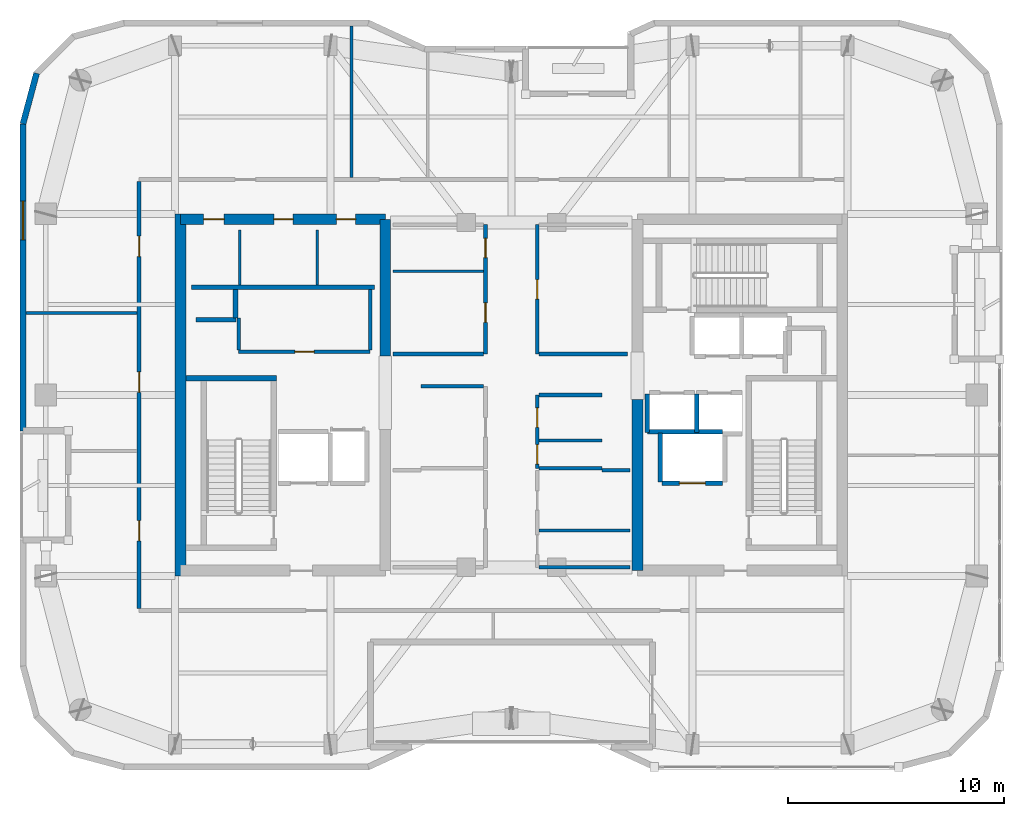
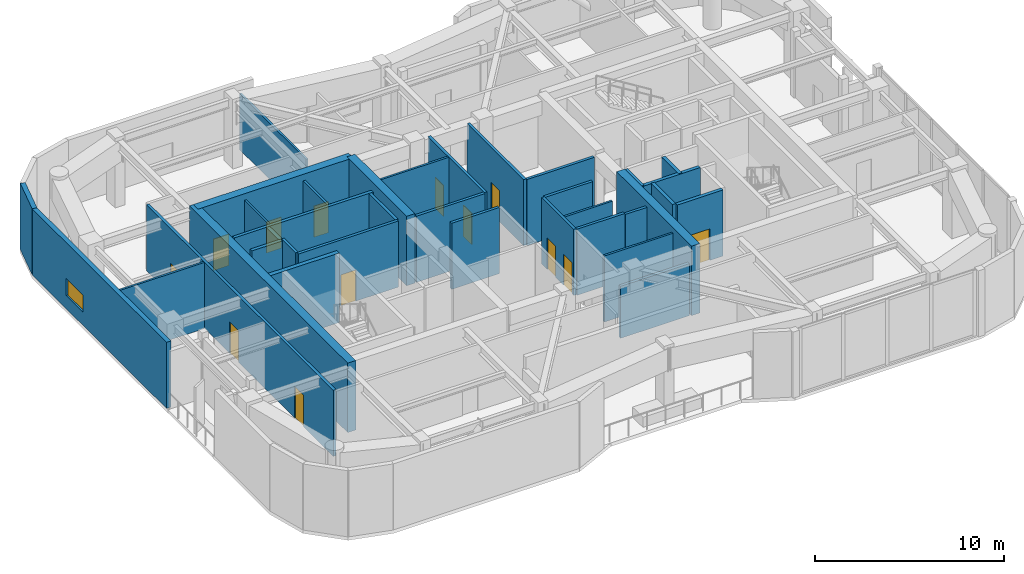
# One storey, part 10 of 14: 36 walls, 13 doors, 1 window, 14 openings.
"""IFC4 building model written with IfcOpenShell, lengths in metres."""

from ifc_helpers import new_model, si_unit, direction, frame, frame_2d, origin, place, context, subcontext, project, spatial, rectangle, extrude, material, layer, layer_set, type_object, element, fill, save


model = new_model("IFC4")

# Units and contexts
model_context = context("Model", 3, precision=1e-05, world=origin(), true_north=direction((0.0, 1.0)))
body_context = subcontext(model_context, "Body", "Model", "MODEL_VIEW")
ifc_project = project(units=[si_unit("LENGTHUNIT", "METRE"), si_unit("AREAUNIT", "SQUARE_METRE"), si_unit("VOLUMEUNIT", "CUBIC_METRE"), si_unit("PLANEANGLEUNIT", "RADIAN"), si_unit("MASSUNIT", "GRAM", prefix="KILO")], contexts=[model_context])

# Site, building, storey
site_placement = place(None, origin())
site = spatial("IfcSite", under=ifc_project, at=site_placement, CompositionType="ELEMENT")
building_placement = place(site_placement, origin())
building = spatial("IfcBuilding", under=site, at=building_placement, Name="Kiyonajd Concourse Tower", CompositionType="ELEMENT")
storey_placement = place(building_placement, frame((0.0, 0.0, 294.0)))
storey = spatial("IfcBuildingStorey", under=building, at=storey_placement, Name="L74", CompositionType="ELEMENT", Elevation=294.0)

# Walls
ifc_material_1 = material(Name="Concrete C60/75", Category="concrete")
ifc_layer_1 = layer(ifc_material_1, 0.5)
ifc_layer_set_1 = layer_set([ifc_layer_1], Name="Concrete C60/75")
wall_type_1 = type_object("IfcWallType", Name="WL-CORE-500", PredefinedType="SHEAR", material=ifc_layer_set_1)
wall_1_placement = place(storey_placement, frame((32.64990234375, 27.60009765625, 0.0), z_axis=(0.0, 0.0, 1.0), x_axis=(0.0, 1.0, 0.0)))
element("IfcWall", 1, at=wall_1_placement, inside=storey, type_object=wall_type_1, Name="L74 West Core Outer Shear Wall", PredefinedType="SHEAR", context=body_context, shape_type="SweptSolid", body=[
    extrude(rectangle(XDim=16.7998046875, YDim=0.5, at=frame_2d((8.39990234375, 0.0))), origin(), (0.0, 0.0, 1.0), 4.5),
])
wall_2_placement = place(storey_placement, frame((42.14990234375, 37.800048828125, 0.0), z_axis=(0.0, 0.0, 1.0), x_axis=(0.0, 1.0, 0.0)))
element("IfcWall", 2, at=wall_2_placement, inside=storey, type_object=wall_type_1, Name="L74 West Core Inner North Shear Wall", PredefinedType="SHEAR", context=body_context, shape_type="SweptSolid", body=[
    extrude(rectangle(XDim=6.349853515625, YDim=0.5, at=frame_2d((3.1748046875, 0.0))), origin(), (0.0, 0.0, 1.0), 4.5),
])

# Wall, openings, doors
wall_3_placement = place(storey_placement, frame((32.64990234375, 44.14990234375, 0.0), z_axis=(0.0, 0.0, 1.0), x_axis=(1.0, 0.0, 0.0)))
wall_3 = element("IfcWall", 3, at=wall_3_placement, inside=storey, type_object=wall_type_1, Name="L74 West Core North Shear Wall", PredefinedType="SHEAR", context=body_context, shape_type="SweptSolid", body=[
    extrude(rectangle(XDim=9.5, YDim=0.5, at=frame_2d((4.75, 0.0))), origin(), (0.0, 0.0, 1.0), 4.5),
])
opening_1_placement = place(wall_3_placement, frame((1.074951171875, 0.0, 0.0)))
opening_1 = element("IfcOpeningElement", 4, at=opening_1_placement, cuts=wall_3, Name="Opening DI1", PredefinedType="OPENING", context=body_context, shape_type="SweptSolid", body=[
    extrude(rectangle(XDim=0.949951171875, YDim=2.0400390625, at=frame_2d((0.47509765625, 1.02001953125))), frame((0.0, 0.260009765625, 0.0), z_axis=(0.0, -1.0, 0.0), x_axis=(1.0, 0.0, 0.0)), (0.0, 0.0, 1.0), 0.52001953125),
])
opening_2_placement = place(wall_3_placement, frame((4.324951171875, 0.0, 0.0)))
opening_2 = element("IfcOpeningElement", 5, at=opening_2_placement, cuts=wall_3, Name="Opening DI2", PredefinedType="OPENING", context=body_context, shape_type="SweptSolid", body=[
    extrude(rectangle(XDim=0.89990234375, YDim=2.02001953125, at=frame_2d((0.449951171875, 1.010009765625))), frame((0.0, 0.260009765625, 0.0), z_axis=(0.0, -1.0, 0.0), x_axis=(1.0, 0.0, 0.0)), (0.0, 0.0, 1.0), 0.52001953125),
])
opening_3_placement = place(wall_3_placement, frame((7.22509765625, 0.0, 0.0)))
opening_3 = element("IfcOpeningElement", 6, at=opening_3_placement, cuts=wall_3, Name="Opening DI2", PredefinedType="OPENING", context=body_context, shape_type="SweptSolid", body=[
    extrude(rectangle(XDim=0.89990234375, YDim=2.02001953125, at=frame_2d((0.449951171875, 1.010009765625))), frame((0.0, 0.260009765625, 0.0), z_axis=(0.0, -1.0, 0.0), x_axis=(1.0, 0.0, 0.0)), (0.0, 0.0, 1.0), 0.52001953125),
])
ifc_material_2 = material(Name="Natural Oak Acoustic Timber Veneer", Category="wood")
door_type_1 = type_object("IfcDoorType", Name="DR-INT-900", OperationType="NOTDEFINED", PredefinedType="DOOR", material=ifc_material_2)
door_1_placement = place(opening_2_placement, origin())
door_1 = element("IfcDoor", 7, at=door_1_placement, inside=storey, type_object=door_type_1, Name="L74 Male Restroom Door", OperationType="SINGLE_SWING_RIGHT", OverallHeight=2.02001953125, OverallWidth=0.89990234375, PredefinedType="DOOR", context=body_context, shape_type="SweptSolid", body=[
    extrude(rectangle(XDim=0.89990234375, YDim=2.02001953125, at=frame_2d((0.449951171875, 1.010009765625))), frame((0.0, 0.02490234375, 0.0), z_axis=(0.0, -1.0, 0.0), x_axis=(1.0, 0.0, 0.0)), (0.0, 0.0, 1.0), 0.050048828125),
])
fill(opening_2, door_1)
door_2_placement = place(opening_3_placement, origin())
door_2 = element("IfcDoor", 8, at=door_2_placement, inside=storey, type_object=door_type_1, Name="L74 Female Restroom Door", OperationType="SINGLE_SWING_LEFT", OverallHeight=2.02001953125, OverallWidth=0.89990234375, PredefinedType="DOOR", context=body_context, shape_type="SweptSolid", body=[
    extrude(rectangle(XDim=0.89990234375, YDim=2.02001953125, at=frame_2d((0.449951171875, 1.010009765625))), frame((0.0, 0.02490234375, 0.0), z_axis=(0.0, -1.0, 0.0), x_axis=(1.0, 0.0, 0.0)), (0.0, 0.0, 1.0), 0.050048828125),
])
fill(opening_3, door_2)
door_type_2 = type_object("IfcDoorType", Name="DR-INT-950", OperationType="NOTDEFINED", PredefinedType="DOOR", material=ifc_material_2)
door_3_placement = place(opening_1_placement, origin())
door_3 = element("IfcDoor", 9, at=door_3_placement, inside=storey, type_object=door_type_2, Name="L74 Single User Accessible WC Door", OperationType="SINGLE_SWING_LEFT", OverallHeight=2.0400390625, OverallWidth=0.949951171875, PredefinedType="DOOR", context=body_context, shape_type="SweptSolid", body=[
    extrude(rectangle(XDim=0.949951171875, YDim=2.0400390625, at=frame_2d((0.47509765625, 1.02001953125))), frame((0.0, 0.02490234375, 0.0), z_axis=(0.0, -1.0, 0.0), x_axis=(1.0, 0.0, 0.0)), (0.0, 0.0, 1.0), 0.050048828125),
])
fill(opening_1, door_3)

# Wall
wall_4_placement = place(storey_placement, frame((53.85009765625, 27.85009765625, 0.0), z_axis=(0.0, 0.0, 1.0), x_axis=(0.0, 1.0, 0.0)))
element("IfcWall", 10, at=wall_4_placement, inside=storey, type_object=wall_type_1, Name="L74 East Core Inner South Shear Wall", PredefinedType="SHEAR", context=body_context, shape_type="SweptSolid", body=[
    extrude(rectangle(XDim=7.949951171875, YDim=0.5, at=frame_2d((3.97509765625, 0.0))), origin(), (0.0, 0.0, 1.0), 4.5),
])

# Wall, opening, window
ifc_material_3 = material(Name="Precast concrete C50/60", Category="concrete")
ifc_layer_2 = layer(ifc_material_3, 0.280029296875)
ifc_layer_set_2 = layer_set([ifc_layer_2], Name="Precast concrete C50/60")
wall_type_2 = type_object("IfcWallType", Name="WL-EXT-280", PredefinedType="SOLIDWALL", material=ifc_layer_set_2)
wall_5_placement = place(storey_placement, frame((25.340087890625, 34.340087890625, 0.0), z_axis=(0.0, 0.0, 1.0), x_axis=(0.0, 1.0, 0.0)))
wall_5 = element("IfcWall", 11, at=wall_5_placement, inside=storey, type_object=wall_type_2, Name="L74 Exterior Concrete Frame Wall 25", PredefinedType="SOLIDWALL", context=body_context, shape_type="SweptSolid", body=[
    extrude(rectangle(XDim=14.241455078125, YDim=0.280029296875, at=frame_2d((7.12060546875, 0.0))), origin(), (0.0, 0.0, 1.0), 4.280029296875),
])
opening_4_placement = place(wall_5_placement, frame((8.85595703125, 0.0, 0.85009765625)))
opening_4 = element("IfcOpeningElement", 12, at=opening_4_placement, cuts=wall_5, Name="Opening WN1", PredefinedType="OPENING", context=body_context, shape_type="SweptSolid", body=[
    extrude(rectangle(XDim=1.800048828125, YDim=1.10009765625, at=frame_2d((0.89990234375, 0.550048828125))), frame((0.0, 0.14990234375, 0.0), z_axis=(0.0, -1.0, 0.0), x_axis=(1.0, 0.0, 0.0)), (0.0, 0.0, 1.0), 0.300048828125),
])
ifc_material_4 = material(Name="Double Low-E Insulated Glass", Category="glass")
window_type = type_object("IfcWindowType", Name="WN-VIS-1800x1100", PartitioningType="SINGLE_PANEL", PredefinedType="WINDOW", material=ifc_material_4)
window_placement = place(opening_4_placement, origin())
window = element("IfcWindow", 13, at=window_placement, inside=storey, type_object=window_type, Name="L74 Modular Facade Vision Window 25", OverallHeight=1.10009765625, OverallWidth=1.800048828125, PartitioningType="SINGLE_PANEL", PredefinedType="WINDOW", context=body_context, shape_type="SweptSolid", body=[
    extrude(rectangle(XDim=1.800048828125, YDim=1.10009765625, at=frame_2d((0.89990234375, 0.550048828125))), frame((0.0, 0.030029296875, 0.0), z_axis=(0.0, -1.0, 0.0), x_axis=(1.0, 0.0, 0.0)), (0.0, 0.0, 1.0), 0.06005859375),
])
fill(opening_4, window)

# Walls
wall_6_placement = place(storey_placement, frame((25.340087890625, 48.58154296875, 0.0), z_axis=(0.0, 0.0, 1.0), x_axis=(0.258751159445, 0.965944013639, 0.0)))
element("IfcWall", 14, at=wall_6_placement, inside=storey, type_object=wall_type_2, Name="L74 Exterior Concrete Frame Wall 26", PredefinedType="SOLIDWALL", context=body_context, shape_type="SweptSolid", body=[
    extrude(rectangle(XDim=2.4287109375, YDim=0.280029296875, at=frame_2d((1.21435546875, 0.0))), origin(), (0.0, 0.0, 1.0), 4.280029296875),
])
ifc_material_5 = material(Name="Gypsum Board on Cold-Formed Steel Stud", Category="steel")
ifc_layer_3 = layer(ifc_material_5, 0.125)
ifc_layer_set_3 = layer_set([ifc_layer_3], Name="Gypsum Board on Cold-Formed Steel Stud")
wall_type_3 = type_object("IfcWallType", Name="WL-PART-125", PredefinedType="PARTITIONING", material=ifc_layer_set_3)
for number, where, z_axis, x_axis, name in (
    (15, (35.39990234375, 41.094970703125, 0.0), (0.0, 0.0, 1.0), (0.0, 1.0, 0.0), "L74 Interior Partition Wall"),
    (16, (39.0, 41.094970703125, 0.0), (0.0, 0.0, 1.0), (0.0, 1.0, 0.0), "L74 Interior Partition Wall"),
):
    element("IfcWall", number, at=place(storey_placement, frame(where, z_axis=z_axis, x_axis=x_axis)), inside=storey, type_object=wall_type_3, Name=name, PredefinedType="PARTITIONING", context=body_context, shape_type="SweptSolid", body=[
        extrude(rectangle(XDim=2.554931640625, YDim=0.125, at=frame_2d((1.27734375, 0.0))), origin(), (0.0, 0.0, 1.0), 4.280029296875),
    ])
wall_7_placement = place(storey_placement, frame((49.287109375, 33.89208984375, 0.0), z_axis=(0.0, 0.0, 1.0), x_axis=(1.0, 0.0, 0.0)))
element("IfcWall", 17, at=wall_7_placement, inside=storey, type_object=wall_type_3, Name="L74 Interior Partition Wall", PredefinedType="PARTITIONING", context=body_context, shape_type="SweptSolid", body=[
    extrude(rectangle(XDim=2.912841796875, YDim=0.125, at=frame_2d((1.45654296875, 0.0))), origin(), (0.0, 0.0, 1.0), 4.280029296875),
])
for number, where, z_axis, x_axis, name in (
    (18, (49.287109375, 29.7099609375, 0.0), (0.0, 0.0, 1.0), (1.0, 0.0, 0.0), "L74 Interior Partition Wall"),
    (19, (42.5, 41.739990234375, 0.0), (0.0, 0.0, 1.0), (1.0, 0.0, 0.0), "L74 Interior Partition Wall"),
):
    element("IfcWall", number, at=place(storey_placement, frame(where, z_axis=z_axis, x_axis=x_axis)), inside=storey, type_object=wall_type_3, Name=name, PredefinedType="PARTITIONING", context=body_context, shape_type="SweptSolid", body=[
        extrude(rectangle(XDim=4.212890625, YDim=0.125, at=frame_2d((2.1064453125, 0.0))), origin(), (0.0, 0.0, 1.0), 4.280029296875),
    ])
wall_8_placement = place(storey_placement, frame((40.580078125, 46.0869140625, 0.0), z_axis=(0.0, 0.0, 1.0), x_axis=(0.0, 1.0, 0.0)))
element("IfcWall", 20, at=wall_8_placement, inside=storey, type_object=wall_type_3, Name="L74 Interior Partition Wall", PredefinedType="PARTITIONING", context=body_context, shape_type="SweptSolid", body=[
    extrude(rectangle(XDim=7.0380859375, YDim=0.125, at=frame_2d((3.51904296875, 0.0))), origin(), (0.0, 0.0, 1.0), 3.64306640625),
])
wall_9_placement = place(storey_placement, frame((25.47509765625, 39.800048828125, 0.0), z_axis=(0.0, 0.0, 1.0), x_axis=(1.0, 0.0, 0.0)))
element("IfcWall", 21, at=wall_9_placement, inside=storey, type_object=wall_type_3, Name="L74 Interior Partition Wall", PredefinedType="PARTITIONING", context=body_context, shape_type="SweptSolid", body=[
    extrude(rectangle(XDim=5.162841796875, YDim=0.125, at=frame_2d((2.58154296875, 0.0))), origin(), (0.0, 0.0, 1.0), 4.280029296875),
])
ifc_layer_4 = layer(ifc_material_5, 0.18994140625)
ifc_layer_set_4 = layer_set([ifc_layer_4], Name="Gypsum Board on Cold-Formed Steel Stud")
wall_type_4 = type_object("IfcWallType", Name="WL-PLMB-190", PredefinedType="PLUMBINGWALL", material=ifc_layer_set_4)
wall_10_placement = place(storey_placement, frame((33.14990234375, 41.0, 0.0), z_axis=(0.0, 0.0, 1.0), x_axis=(1.0, 0.0, 0.0)))
element("IfcWall", 22, at=wall_10_placement, inside=storey, type_object=wall_type_4, Name="L74 Interior Partition Wall", PredefinedType="PLUMBINGWALL", context=body_context, shape_type="SweptSolid", body=[
    extrude(rectangle(XDim=8.5, YDim=0.18994140625, at=frame_2d((4.25, 0.0))), origin(), (0.0, 0.0, 1.0), 4.280029296875),
])
ifc_layer_5 = layer(ifc_material_5, 0.2099609375)
ifc_layer_set_5 = layer_set([ifc_layer_5], Name="Gypsum Board on Cold-Formed Steel Stud")
wall_type_5 = type_object("IfcWallType", Name="WL-SHAFT-210", PredefinedType="PARTITIONING", material=ifc_layer_set_5)
wall_11_placement = place(storey_placement, frame((33.360107421875, 39.5, 0.0), z_axis=(0.0, 0.0, 1.0), x_axis=(1.0, 0.0, 0.0)))
element("IfcWall", 23, at=wall_11_placement, inside=storey, type_object=wall_type_5, Name="L74 Shaft Enclosure Wall", PredefinedType="PARTITIONING", context=body_context, shape_type="SweptSolid", body=[
    extrude(rectangle(XDim=1.85986328125, YDim=0.2099609375, at=frame_2d((0.929931640625, 0.0))), origin(), (0.0, 0.0, 1.0), 4.280029296875),
])
wall_12_placement = place(storey_placement, frame((35.199951171875, 39.580078125, 0.0), z_axis=(0.0, 0.0, 1.0), x_axis=(0.0, 1.0, 0.0)))
element("IfcWall", 24, at=wall_12_placement, inside=storey, type_object=wall_type_5, Name="L74 Shaft Enclosure Wall", PredefinedType="PARTITIONING", context=body_context, shape_type="SweptSolid", body=[
    extrude(rectangle(XDim=1.31982421875, YDim=0.2099609375, at=frame_2d((0.659912109375, 0.0))), origin(), (0.0, 0.0, 1.0), 4.280029296875),
])

# Wall, opening, door
wall_13_placement = place(storey_placement, frame((55.0, 31.89990234375, 0.0), z_axis=(0.0, 0.0, 1.0), x_axis=(1.0, 0.0, 0.0)))
wall_13 = element("IfcWall", 25, at=wall_13_placement, inside=storey, type_object=wall_type_5, Name="L74 Shaft Enclosure Wall", PredefinedType="PARTITIONING", context=body_context, shape_type="SweptSolid", body=[
    extrude(rectangle(XDim=2.800048828125, YDim=0.2099609375, at=frame_2d((1.39990234375, 0.0))), origin(), (0.0, 0.0, 1.0), 4.280029296875),
])
opening_5_placement = place(wall_13_placement, frame((0.800048828125, 0.0, 0.0)))
opening_5 = element("IfcOpeningElement", 26, at=opening_5_placement, cuts=wall_13, Name="Opening LD2", PredefinedType="OPENING", context=body_context, shape_type="SweptSolid", body=[
    extrude(rectangle(XDim=1.199951171875, YDim=2.0400390625, at=frame_2d((0.60009765625, 1.02001953125))), frame((0.0, 0.114990234375, 0.0), z_axis=(0.0, -1.0, 0.0), x_axis=(1.0, 0.0, 0.0)), (0.0, 0.0, 1.0), 0.22998046875),
])
ifc_material_6 = material(Name="Brushed Stainless Steel Cab Assembly", Category="steel")
door_type_3 = type_object("IfcDoorType", Name="DR-LD-1200", OperationType="DOUBLE_DOOR_SLIDING", PredefinedType="DOOR", material=ifc_material_6)
door_4_placement = place(opening_5_placement, origin())
door_4 = element("IfcDoor", 27, at=door_4_placement, inside=storey, type_object=door_type_3, Name="L74 Lift FFL2 Sliding Landing Door", OperationType="DOUBLE_DOOR_SLIDING", OverallHeight=2.0400390625, OverallWidth=1.199951171875, PredefinedType="DOOR", context=body_context, shape_type="SweptSolid", body=[
    extrude(rectangle(XDim=1.199951171875, YDim=2.0400390625, at=frame_2d((0.60009765625, 1.02001953125))), frame((0.0, 0.02490234375, 0.0), z_axis=(0.0, -1.0, 0.0), x_axis=(1.0, 0.0, 0.0)), (0.0, 0.0, 1.0), 0.050048828125),
])
fill(opening_5, door_4)

# Walls
wall_14_placement = place(storey_placement, frame((54.320068359375, 34.300048828125, 0.0), z_axis=(0.0, 0.0, 1.0), x_axis=(1.0, 0.0, 0.0)))
element("IfcWall", 28, at=wall_14_placement, inside=storey, type_object=wall_type_5, Name="L74 Shaft Enclosure Wall", PredefinedType="PARTITIONING", context=body_context, shape_type="SweptSolid", body=[
    extrude(rectangle(XDim=3.47998046875, YDim=0.2099609375, at=frame_2d((1.739990234375, 0.0))), origin(), (0.0, 0.0, 1.0), 4.280029296875),
])
wall_15_placement = place(storey_placement, frame((54.89990234375, 31.9599609375, 0.0), z_axis=(0.0, 0.0, 1.0), x_axis=(0.0, 1.0, 0.0)))
element("IfcWall", 29, at=wall_15_placement, inside=storey, type_object=wall_type_5, Name="L74 Shaft Enclosure Wall", PredefinedType="PARTITIONING", context=body_context, shape_type="SweptSolid", body=[
    extrude(rectangle(XDim=2.280029296875, YDim=0.2099609375, at=frame_2d((1.14013671875, 0.0))), origin(), (0.0, 0.0, 1.0), 4.280029296875),
])
for number, where, z_axis, x_axis, name in (
    (30, (54.300048828125, 34.260009765625, 0.0), (0.0, 0.0, 1.0), (0.0, 1.0, 0.0), "L74 Shaft Enclosure Wall"),
    (31, (56.60009765625, 34.260009765625, 0.0), (0.0, 0.0, 1.0), (0.0, 1.0, 0.0), "L74 Shaft Enclosure Wall"),
):
    element("IfcWall", number, at=place(storey_placement, frame(where, z_axis=z_axis, x_axis=x_axis)), inside=storey, type_object=wall_type_5, Name=name, PredefinedType="PARTITIONING", context=body_context, shape_type="SweptSolid", body=[
        extrude(rectangle(XDim=1.780029296875, YDim=0.2099609375, at=frame_2d((0.89013671875, 0.0))), origin(), (0.0, 0.0, 1.0), 4.280029296875),
    ])

# Wall, opening, door
ifc_layer_6 = layer(ifc_material_5, 0.169921875)
ifc_layer_set_6 = layer_set([ifc_layer_6], Name="Gypsum Board on Cold-Formed Steel Stud")
wall_type_6 = type_object("IfcWallType", Name="WL-SMK-170", PredefinedType="PARTITIONING", material=ifc_layer_set_6)
wall_16_placement = place(storey_placement, frame((35.35009765625, 38.0, 0.0), z_axis=(0.0, 0.0, 1.0), x_axis=(1.0, 0.0, 0.0)))
wall_16 = element("IfcWall", 32, at=wall_16_placement, inside=storey, type_object=wall_type_6, Name="L74 Interior Partition Wall", PredefinedType="PARTITIONING", context=body_context, shape_type="SweptSolid", body=[
    extrude(rectangle(XDim=6.099853515625, YDim=0.169921875, at=frame_2d((3.0498046875, 0.0))), origin(), (0.0, 0.0, 1.0), 4.280029296875),
])
opening_6_placement = place(wall_16_placement, frame((2.60009765625, 0.0, 0.0)))
opening_6 = element("IfcOpeningElement", 33, at=opening_6_placement, cuts=wall_16, Name="Opening DI2", PredefinedType="OPENING", context=body_context, shape_type="SweptSolid", body=[
    extrude(rectangle(XDim=0.89990234375, YDim=2.02001953125, at=frame_2d((0.449951171875, 1.010009765625))), frame((0.0, 0.094970703125, 0.0), z_axis=(0.0, -1.0, 0.0), x_axis=(1.0, 0.0, 0.0)), (0.0, 0.0, 1.0), 0.18994140625),
])
door_5_placement = place(opening_6_placement, origin())
door_5 = element("IfcDoor", 34, at=door_5_placement, inside=storey, type_object=door_type_1, Name="L74 Interior Door", OperationType="SINGLE_SWING_LEFT", OverallHeight=2.02001953125, OverallWidth=0.89990234375, PredefinedType="DOOR", context=body_context, shape_type="SweptSolid", body=[
    extrude(rectangle(XDim=0.89990234375, YDim=2.02001953125, at=frame_2d((0.449951171875, 1.010009765625))), frame((0.0, 0.02490234375, 0.0), z_axis=(0.0, -1.0, 0.0), x_axis=(1.0, 0.0, 0.0)), (0.0, 0.0, 1.0), 0.050048828125),
])
fill(opening_6, door_5)

# Walls
wall_17_placement = place(storey_placement, frame((35.35009765625, 38.0869140625, 0.0), z_axis=(0.0, 0.0, 1.0), x_axis=(0.0, 1.0, 0.0)))
element("IfcWall", 35, at=wall_17_placement, inside=storey, type_object=wall_type_6, Name="L74 Interior Partition Wall", PredefinedType="PARTITIONING", context=body_context, shape_type="SweptSolid", body=[
    extrude(rectangle(XDim=1.4931640625, YDim=0.169921875, at=frame_2d((0.74658203125, 0.0))), origin(), (0.0, 0.0, 1.0), 4.280029296875),
])
wall_18_placement = place(storey_placement, frame((41.449951171875, 38.0869140625, 0.0), z_axis=(0.0, 0.0, 1.0), x_axis=(0.0, 1.0, 0.0)))
element("IfcWall", 36, at=wall_18_placement, inside=storey, type_object=wall_type_6, Name="L74 Interior Partition Wall", PredefinedType="PARTITIONING", context=body_context, shape_type="SweptSolid", body=[
    extrude(rectangle(XDim=2.81298828125, YDim=0.169921875, at=frame_2d((1.406494140625, 0.0))), origin(), (0.0, 0.0, 1.0), 4.280029296875),
])
wall_19_placement = place(storey_placement, frame((43.800048828125, 36.39990234375, 0.0), z_axis=(0.0, 0.0, 1.0), x_axis=(1.0, 0.0, 0.0)))
element("IfcWall", 37, at=wall_19_placement, inside=storey, type_object=wall_type_6, Name="L74 Interior Partition Wall", PredefinedType="PARTITIONING", context=body_context, shape_type="SweptSolid", body=[
    extrude(rectangle(XDim=2.912841796875, YDim=0.169921875, at=frame_2d((1.45654296875, 0.0))), origin(), (0.0, 0.0, 1.0), 4.280029296875),
])

# Wall, openings, doors
wall_20_placement = place(storey_placement, frame((49.199951171875, 32.60009765625, 0.0), z_axis=(0.0, 0.0, 1.0), x_axis=(0.0, 1.0, 0.0)))
wall_20 = element("IfcWall", 38, at=wall_20_placement, inside=storey, type_object=wall_type_6, Name="L74 Interior Partition Wall", PredefinedType="PARTITIONING", context=body_context, shape_type="SweptSolid", body=[
    extrude(rectangle(XDim=3.39990234375, YDim=0.169921875, at=frame_2d((1.699951171875, 0.0))), origin(), (0.0, 0.0, 1.0), 4.280029296875),
])
opening_7_placement = place(wall_20_placement, frame((0.196044921875, 0.0, 0.0)))
opening_7 = element("IfcOpeningElement", 39, at=opening_7_placement, cuts=wall_20, Name="Opening DI2", PredefinedType="OPENING", context=body_context, shape_type="SweptSolid", body=[
    extrude(rectangle(XDim=0.89990234375, YDim=2.02001953125, at=frame_2d((0.449951171875, 1.010009765625))), frame((0.0, 0.094970703125, 0.0), z_axis=(0.0, -1.0, 0.0), x_axis=(1.0, 0.0, 0.0)), (0.0, 0.0, 1.0), 0.18994140625),
])
opening_8_placement = place(wall_20_placement, frame((1.89599609375, 0.0, 0.0)))
opening_8 = element("IfcOpeningElement", 40, at=opening_8_placement, cuts=wall_20, Name="Opening DI2", PredefinedType="OPENING", context=body_context, shape_type="SweptSolid", body=[
    extrude(rectangle(XDim=0.89990234375, YDim=2.02001953125, at=frame_2d((0.449951171875, 1.010009765625))), frame((0.0, 0.094970703125, 0.0), z_axis=(0.0, -1.0, 0.0), x_axis=(1.0, 0.0, 0.0)), (0.0, 0.0, 1.0), 0.18994140625),
])
door_6_placement = place(opening_7_placement, origin())
door_6 = element("IfcDoor", 41, at=door_6_placement, inside=storey, type_object=door_type_1, Name="L74 Interior Door", OperationType="SINGLE_SWING_LEFT", OverallHeight=2.02001953125, OverallWidth=0.89990234375, PredefinedType="DOOR", context=body_context, shape_type="SweptSolid", body=[
    extrude(rectangle(XDim=0.89990234375, YDim=2.02001953125, at=frame_2d((0.449951171875, 1.010009765625))), frame((0.0, 0.02490234375, 0.0), z_axis=(0.0, -1.0, 0.0), x_axis=(1.0, 0.0, 0.0)), (0.0, 0.0, 1.0), 0.050048828125),
])
fill(opening_7, door_6)
door_7_placement = place(opening_8_placement, origin())
door_7 = element("IfcDoor", 42, at=door_7_placement, inside=storey, type_object=door_type_1, Name="L74 Interior Door", OperationType="SINGLE_SWING_RIGHT", OverallHeight=2.02001953125, OverallWidth=0.89990234375, PredefinedType="DOOR", context=body_context, shape_type="SweptSolid", body=[
    extrude(rectangle(XDim=0.89990234375, YDim=2.02001953125, at=frame_2d((0.449951171875, 1.010009765625))), frame((0.0, 0.02490234375, 0.0), z_axis=(0.0, -1.0, 0.0), x_axis=(1.0, 0.0, 0.0)), (0.0, 0.0, 1.0), 0.050048828125),
])
fill(opening_8, door_7)

# Walls
for number, where, z_axis, x_axis, name in (
    (43, (49.287109375, 32.60009765625, 0.0), (0.0, 0.0, 1.0), (1.0, 0.0, 0.0), "L74 Interior Partition Wall"),
    (44, (49.287109375, 36.0, 0.0), (0.0, 0.0, 1.0), (1.0, 0.0, 0.0), "L74 Interior Partition Wall"),
):
    element("IfcWall", number, at=place(storey_placement, frame(where, z_axis=z_axis, x_axis=x_axis)), inside=storey, type_object=wall_type_6, Name=name, PredefinedType="PARTITIONING", context=body_context, shape_type="SweptSolid", body=[
        extrude(rectangle(XDim=2.912841796875, YDim=0.169921875, at=frame_2d((1.45654296875, 0.0))), origin(), (0.0, 0.0, 1.0), 4.280029296875),
    ])
wall_21_placement = place(storey_placement, frame((49.287109375, 28.0, 0.0), z_axis=(0.0, 0.0, 1.0), x_axis=(1.0, 0.0, 0.0)))
element("IfcWall", 45, at=wall_21_placement, inside=storey, type_object=wall_type_6, Name="L74 Interior Partition Wall", PredefinedType="PARTITIONING", context=body_context, shape_type="SweptSolid", body=[
    extrude(rectangle(XDim=4.212890625, YDim=0.169921875, at=frame_2d((2.1064453125, 0.0))), origin(), (0.0, 0.0, 1.0), 3.364990234375),
])
wall_22_placement = place(storey_placement, frame((52.199951171875, 32.5, 0.0), z_axis=(0.0, 0.0, 1.0), x_axis=(1.0, 0.0, 0.0)))
element("IfcWall", 46, at=wall_22_placement, inside=storey, type_object=wall_type_6, Name="L74 Interior Partition Wall", PredefinedType="PARTITIONING", context=body_context, shape_type="SweptSolid", body=[
    extrude(rectangle(XDim=1.300048828125, YDim=0.169921875, at=frame_2d((0.64990234375, 0.0))), origin(), (0.0, 0.0, 1.0), 4.280029296875),
])

# Wall, openings, doors
wall_23_placement = place(storey_placement, frame((46.800048828125, 37.89990234375, 0.0), z_axis=(0.0, 0.0, 1.0), x_axis=(0.0, 1.0, 0.0)))
wall_23 = element("IfcWall", 47, at=wall_23_placement, inside=storey, type_object=wall_type_6, Name="L74 Interior Partition Wall", PredefinedType="PARTITIONING", context=body_context, shape_type="SweptSolid", body=[
    extrude(rectangle(XDim=6.0, YDim=0.169921875, at=frame_2d((3.0, 0.0))), origin(), (0.0, 0.0, 1.0), 4.280029296875),
])
opening_9_placement = place(wall_23_placement, frame((1.469970703125, 0.0, 0.0)))
opening_9 = element("IfcOpeningElement", 48, at=opening_9_placement, cuts=wall_23, Name="Opening DF4", PredefinedType="OPENING", context=body_context, shape_type="SweptSolid", body=[
    extrude(rectangle(XDim=0.89990234375, YDim=2.02001953125, at=frame_2d((0.449951171875, 1.010009765625))), frame((0.0, 0.094970703125, 0.0), z_axis=(0.0, -1.0, 0.0), x_axis=(1.0, 0.0, 0.0)), (0.0, 0.0, 1.0), 0.18994140625),
])
opening_10_placement = place(wall_23_placement, frame((4.469970703125, 0.0, 0.0)))
opening_10 = element("IfcOpeningElement", 49, at=opening_10_placement, cuts=wall_23, Name="Opening DF4", PredefinedType="OPENING", context=body_context, shape_type="SweptSolid", body=[
    extrude(rectangle(XDim=0.89990234375, YDim=2.02001953125, at=frame_2d((0.449951171875, 1.010009765625))), frame((0.0, 0.094970703125, 0.0), z_axis=(0.0, -1.0, 0.0), x_axis=(1.0, 0.0, 0.0)), (0.0, 0.0, 1.0), 0.18994140625),
])
door_type_4 = type_object("IfcDoorType", Name="DR-FD60-900", OperationType="NOTDEFINED", PredefinedType="DOOR", material=ifc_material_6)
door_8_placement = place(opening_9_placement, origin())
door_8 = element("IfcDoor", 50, at=door_8_placement, inside=storey, type_object=door_type_4, Name="L74 Interior Door", OperationType="SINGLE_SWING_RIGHT", OverallHeight=2.02001953125, OverallWidth=0.89990234375, PredefinedType="DOOR", context=body_context, shape_type="SweptSolid", body=[
    extrude(rectangle(XDim=0.89990234375, YDim=2.02001953125, at=frame_2d((0.449951171875, 1.010009765625))), frame((0.0, 0.02490234375, 0.0), z_axis=(0.0, -1.0, 0.0), x_axis=(1.0, 0.0, 0.0)), (0.0, 0.0, 1.0), 0.050048828125),
])
fill(opening_9, door_8)
door_9_placement = place(opening_10_placement, origin())
door_9 = element("IfcDoor", 51, at=door_9_placement, inside=storey, type_object=door_type_4, Name="L74 Interior Door", OperationType="SINGLE_SWING_LEFT", OverallHeight=2.02001953125, OverallWidth=0.89990234375, PredefinedType="DOOR", context=body_context, shape_type="SweptSolid", body=[
    extrude(rectangle(XDim=0.89990234375, YDim=2.02001953125, at=frame_2d((0.449951171875, 1.010009765625))), frame((0.0, 0.02490234375, 0.0), z_axis=(0.0, -1.0, 0.0), x_axis=(1.0, 0.0, 0.0)), (0.0, 0.0, 1.0), 0.050048828125),
])
fill(opening_10, door_9)

# Wall
wall_24_placement = place(storey_placement, frame((42.5, 37.89990234375, 0.0), z_axis=(0.0, 0.0, 1.0), x_axis=(1.0, 0.0, 0.0)))
element("IfcWall", 52, at=wall_24_placement, inside=storey, type_object=wall_type_6, Name="L74 Interior Partition Wall", PredefinedType="PARTITIONING", context=body_context, shape_type="SweptSolid", body=[
    extrude(rectangle(XDim=4.212890625, YDim=0.169921875, at=frame_2d((2.1064453125, 0.0))), origin(), (0.0, 0.0, 1.0), 4.280029296875),
])

# Wall, opening, door
wall_25_placement = place(storey_placement, frame((49.199951171875, 37.89990234375, 0.0), z_axis=(0.0, 0.0, 1.0), x_axis=(0.0, 1.0, 0.0)))
wall_25 = element("IfcWall", 53, at=wall_25_placement, inside=storey, type_object=wall_type_6, Name="L74 Interior Partition Wall", PredefinedType="PARTITIONING", context=body_context, shape_type="SweptSolid", body=[
    extrude(rectangle(XDim=6.0, YDim=0.169921875, at=frame_2d((3.0, 0.0))), origin(), (0.0, 0.0, 1.0), 4.280029296875),
])
opening_11_placement = place(wall_25_placement, frame((2.550048828125, 0.0, 0.0)))
opening_11 = element("IfcOpeningElement", 54, at=opening_11_placement, cuts=wall_25, Name="Opening DI2", PredefinedType="OPENING", context=body_context, shape_type="SweptSolid", body=[
    extrude(rectangle(XDim=0.89990234375, YDim=2.02001953125, at=frame_2d((0.449951171875, 1.010009765625))), frame((0.0, 0.094970703125, 0.0), z_axis=(0.0, -1.0, 0.0), x_axis=(1.0, 0.0, 0.0)), (0.0, 0.0, 1.0), 0.18994140625),
])
door_10_placement = place(opening_11_placement, origin())
door_10 = element("IfcDoor", 55, at=door_10_placement, inside=storey, type_object=door_type_1, Name="L74 Interior Door", OperationType="SINGLE_SWING_RIGHT", OverallHeight=2.02001953125, OverallWidth=0.89990234375, PredefinedType="DOOR", context=body_context, shape_type="SweptSolid", body=[
    extrude(rectangle(XDim=0.89990234375, YDim=2.02001953125, at=frame_2d((0.449951171875, 1.010009765625))), frame((0.0, 0.02490234375, 0.0), z_axis=(0.0, -1.0, 0.0), x_axis=(1.0, 0.0, 0.0)), (0.0, 0.0, 1.0), 0.050048828125),
])
fill(opening_11, door_10)

# Wall
wall_26_placement = place(storey_placement, frame((49.287109375, 37.89990234375, 0.0), z_axis=(0.0, 0.0, 1.0), x_axis=(1.0, 0.0, 0.0)))
element("IfcWall", 56, at=wall_26_placement, inside=storey, type_object=wall_type_6, Name="L74 Interior Partition Wall", PredefinedType="PARTITIONING", context=body_context, shape_type="SweptSolid", body=[
    extrude(rectangle(XDim=4.11279296875, YDim=0.169921875, at=frame_2d((2.056396484375, 0.0))), origin(), (0.0, 0.0, 1.0), 4.280029296875),
])

# Wall, openings, doors
wall_27_placement = place(storey_placement, frame((30.72509765625, 26.0869140625, 0.0), z_axis=(0.0, 0.0, 1.0), x_axis=(0.0, 1.0, 0.0)))
wall_27 = element("IfcWall", 57, at=wall_27_placement, inside=storey, type_object=wall_type_6, Name="L74 Interior Partition Wall", PredefinedType="PARTITIONING", context=body_context, shape_type="SweptSolid", body=[
    extrude(rectangle(XDim=19.826171875, YDim=0.169921875, at=frame_2d((9.9130859375, 0.0))), origin(), (0.0, 0.0, 1.0), 4.280029296875),
])
opening_12_placement = place(wall_27_placement, frame((3.137939453125, 0.0, 0.0)))
opening_12 = element("IfcOpeningElement", 58, at=opening_12_placement, cuts=wall_27, Name="Opening DI1", PredefinedType="OPENING", context=body_context, shape_type="SweptSolid", body=[
    extrude(rectangle(XDim=0.949951171875, YDim=2.0400390625, at=frame_2d((0.47509765625, 1.02001953125))), frame((0.0, 0.094970703125, 0.0), z_axis=(0.0, -1.0, 0.0), x_axis=(1.0, 0.0, 0.0)), (0.0, 0.0, 1.0), 0.18994140625),
])
opening_13_placement = place(wall_27_placement, frame((10.0380859375, 0.0, 0.0)))
opening_13 = element("IfcOpeningElement", 59, at=opening_13_placement, cuts=wall_27, Name="Opening DI1", PredefinedType="OPENING", context=body_context, shape_type="SweptSolid", body=[
    extrude(rectangle(XDim=0.949951171875, YDim=2.0400390625, at=frame_2d((0.47509765625, 1.02001953125))), frame((0.0, 0.094970703125, 0.0), z_axis=(0.0, -1.0, 0.0), x_axis=(1.0, 0.0, 0.0)), (0.0, 0.0, 1.0), 0.18994140625),
])
opening_14_placement = place(wall_27_placement, frame((16.337890625, 0.0, 0.0)))
opening_14 = element("IfcOpeningElement", 60, at=opening_14_placement, cuts=wall_27, Name="Opening DI1", PredefinedType="OPENING", context=body_context, shape_type="SweptSolid", body=[
    extrude(rectangle(XDim=0.949951171875, YDim=2.0400390625, at=frame_2d((0.47509765625, 1.02001953125))), frame((0.0, 0.094970703125, 0.0), z_axis=(0.0, -1.0, 0.0), x_axis=(1.0, 0.0, 0.0)), (0.0, 0.0, 1.0), 0.18994140625),
])
door_11_placement = place(opening_12_placement, origin())
door_11 = element("IfcDoor", 61, at=door_11_placement, inside=storey, type_object=door_type_2, Name="L74 Interior Door", OperationType="SINGLE_SWING_RIGHT", OverallHeight=2.0400390625, OverallWidth=0.949951171875, PredefinedType="DOOR", context=body_context, shape_type="SweptSolid", body=[
    extrude(rectangle(XDim=0.949951171875, YDim=2.0400390625, at=frame_2d((0.47509765625, 1.02001953125))), frame((0.0, 0.02490234375, 0.0), z_axis=(0.0, -1.0, 0.0), x_axis=(1.0, 0.0, 0.0)), (0.0, 0.0, 1.0), 0.050048828125),
])
fill(opening_12, door_11)
door_12_placement = place(opening_13_placement, origin())
door_12 = element("IfcDoor", 62, at=door_12_placement, inside=storey, type_object=door_type_2, Name="L74 Interior Door", OperationType="SINGLE_SWING_LEFT", OverallHeight=2.0400390625, OverallWidth=0.949951171875, PredefinedType="DOOR", context=body_context, shape_type="SweptSolid", body=[
    extrude(rectangle(XDim=0.949951171875, YDim=2.0400390625, at=frame_2d((0.47509765625, 1.02001953125))), frame((0.0, 0.02490234375, 0.0), z_axis=(0.0, -1.0, 0.0), x_axis=(1.0, 0.0, 0.0)), (0.0, 0.0, 1.0), 0.050048828125),
])
fill(opening_13, door_12)
door_13_placement = place(opening_14_placement, origin())
door_13 = element("IfcDoor", 63, at=door_13_placement, inside=storey, type_object=door_type_2, Name="L74 Interior Door", OperationType="SINGLE_SWING_RIGHT", OverallHeight=2.0400390625, OverallWidth=0.949951171875, PredefinedType="DOOR", context=body_context, shape_type="SweptSolid", body=[
    extrude(rectangle(XDim=0.949951171875, YDim=2.0400390625, at=frame_2d((0.47509765625, 1.02001953125))), frame((0.0, 0.02490234375, 0.0), z_axis=(0.0, -1.0, 0.0), x_axis=(1.0, 0.0, 0.0)), (0.0, 0.0, 1.0), 0.050048828125),
])
fill(opening_14, door_13)

# Wall
ifc_material_7 = material(Name="Concrete C50/60", Category="concrete")
ifc_layer_7 = layer(ifc_material_7, 0.260009765625)
ifc_layer_set_7 = layer_set([ifc_layer_7], Name="Concrete C50/60")
wall_type_7 = type_object("IfcWallType", Name="WL-STAIR-260", PredefinedType="SHEAR", material=ifc_layer_set_7)
wall_28_placement = place(storey_placement, frame((32.89990234375, 36.780029296875, 0.0), z_axis=(0.0, 0.0, 1.0), x_axis=(1.0, 0.0, 0.0)))
element("IfcWall", 64, at=wall_28_placement, inside=storey, type_object=wall_type_7, Name="L74 Stair ST1 Structural North Wall", PredefinedType="SHEAR", context=body_context, shape_type="SweptSolid", body=[
    extrude(rectangle(XDim=4.210205078125, YDim=0.260009765625, at=frame_2d((2.10498046875, 0.0))), origin(), (0.0, 0.0, 1.0), 4.5),
])

save(model, "model.ifc")
